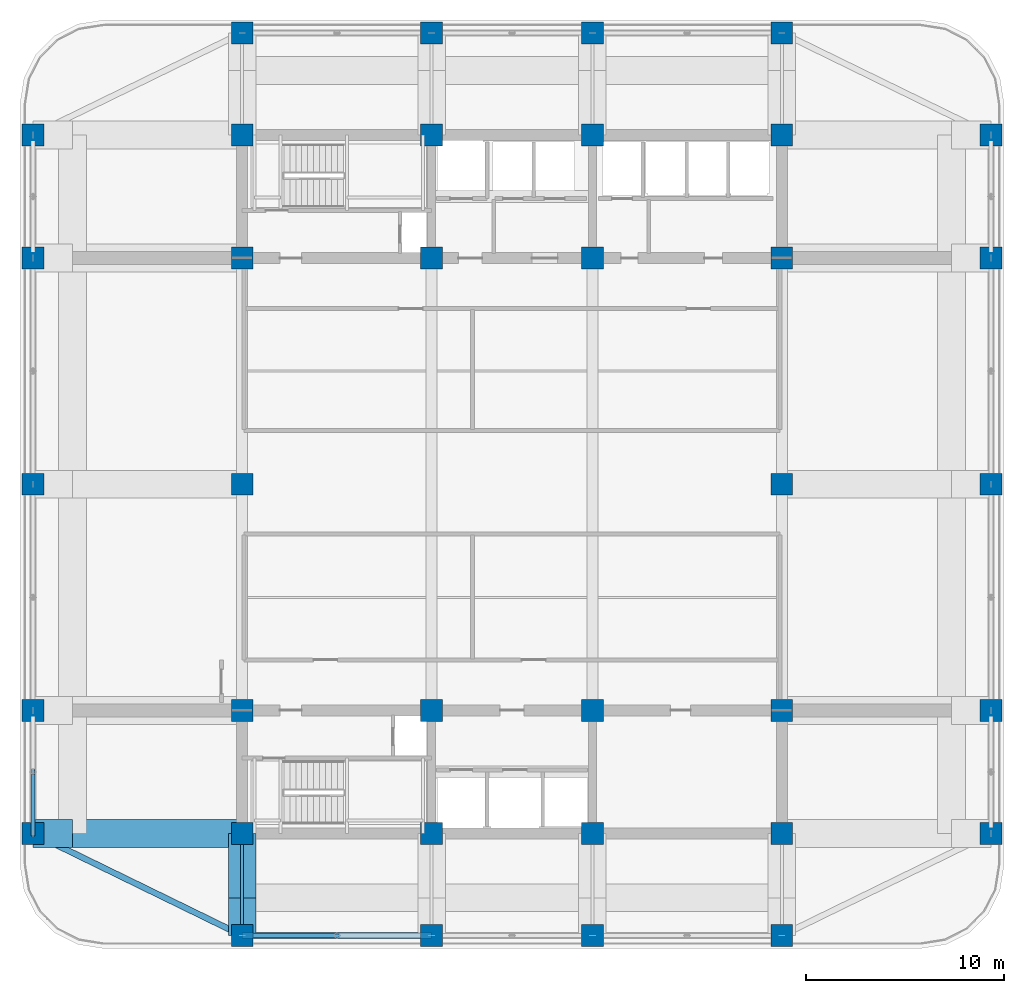
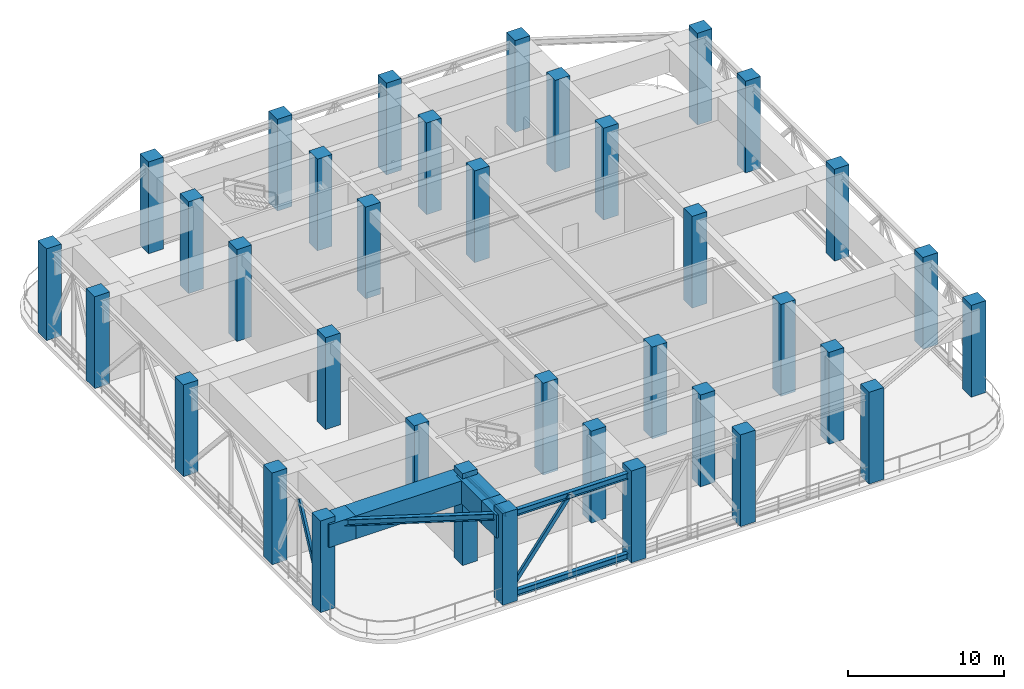
# One storey, part 1 of 20: 36 columns, 8 beams, 2 members.
"""IFC4 building model written with IfcOpenShell, lengths in metres."""

from ifc_helpers import new_model, si_unit, direction, frame, origin, origin_2d, place, context, subcontext, project, spatial, rectangle, hollow_rectangle, i_section, extrude, material, material_profile, profile_set, type_object, element, save


model = new_model("IFC4")

# Units and contexts
model_context = context("Model", 3, precision=1e-05, world=origin(), true_north=direction((0.0, 1.0)))
body_context = subcontext(model_context, "Body", "Model", "MODEL_VIEW")
ifc_project = project(units=[si_unit("LENGTHUNIT", "METRE"), si_unit("AREAUNIT", "SQUARE_METRE"), si_unit("VOLUMEUNIT", "CUBIC_METRE"), si_unit("PLANEANGLEUNIT", "RADIAN"), si_unit("MASSUNIT", "GRAM", prefix="KILO")], contexts=[model_context])

# Site, building, storey
site_placement = place(None, origin())
site = spatial("IfcSite", under=ifc_project, at=site_placement, CompositionType="ELEMENT")
building_placement = place(site_placement, origin())
building = spatial("IfcBuilding", under=site, at=building_placement, Name="Svetorya Sky Lyceum", CompositionType="ELEMENT")
storey_placement = place(building_placement, frame((0.0, 0.0, 136.39990234375)))
storey = spatial("IfcBuildingStorey", under=building, at=storey_placement, Name="L34", CompositionType="ELEMENT", Elevation=136.39990234375)

# Columns
ifc_material_1 = material(Name="Concrete C50/60", Category="concrete")
ifc_material_profile_1 = material_profile(ifc_material_1, rectangle(XDim=1.10009765625, YDim=1.10009765625, at=origin_2d()), Name="RC COL 1100x1100")
ifc_profile_set_1 = profile_set([ifc_material_profile_1], Name="Concrete C50/60")
column_type = type_object("IfcColumnType", Name="COL-RC-1100", PredefinedType="COLUMN", material=ifc_profile_set_1)
for number, where, z_axis, x_axis, name in (
    (1, (25.60009765625, 10.60009765625, 0.0), (0.0, 0.0, 1.0), (1.0, 0.0, 0.0), "L34 Core Column CS-11"),
    (2, (25.60009765625, 16.800048828125, 0.0), (0.0, 0.0, 1.0), (1.0, 0.0, 0.0), "L34 Core Column CS-12"),
    (3, (35.14990234375, 10.60009765625, 0.0), (0.0, 0.0, 1.0), (1.0, 0.0, 0.0), "L34 Core Column CS-21"),
    (4, (35.14990234375, 16.800048828125, 0.0), (0.0, 0.0, 1.0), (1.0, 0.0, 0.0), "L34 Core Column CS-22"),
    (5, (43.25, 10.60009765625, 0.0), (0.0, 0.0, 1.0), (1.0, 0.0, 0.0), "L34 Core Column CS-31"),
    (6, (43.25, 16.800048828125, 0.0), (0.0, 0.0, 1.0), (1.0, 0.0, 0.0), "L34 Core Column CS-32"),
    (7, (52.800048828125, 10.60009765625, 0.0), (0.0, 0.0, 1.0), (1.0, 0.0, 0.0), "L34 Core Column CS-41"),
    (8, (52.800048828125, 16.800048828125, 0.0), (0.0, 0.0, 1.0), (1.0, 0.0, 0.0), "L34 Core Column CS-42"),
    (9, (25.60009765625, 39.60009765625, 0.0), (0.0, 0.0, 1.0), (1.0, 0.0, 0.0), "L34 Core Column CN-11"),
    (10, (25.60009765625, 45.800048828125, 0.0), (0.0, 0.0, 1.0), (1.0, 0.0, 0.0), "L34 Core Column CN-12"),
    (11, (35.14990234375, 39.60009765625, 0.0), (0.0, 0.0, 1.0), (1.0, 0.0, 0.0), "L34 Core Column CN-21"),
    (12, (35.14990234375, 45.800048828125, 0.0), (0.0, 0.0, 1.0), (1.0, 0.0, 0.0), "L34 Core Column CN-22"),
    (13, (43.25, 39.60009765625, 0.0), (0.0, 0.0, 1.0), (1.0, 0.0, 0.0), "L34 Core Column CN-31"),
    (14, (43.25, 45.800048828125, 0.0), (0.0, 0.0, 1.0), (1.0, 0.0, 0.0), "L34 Core Column CN-32"),
    (15, (52.800048828125, 39.60009765625, 0.0), (0.0, 0.0, 1.0), (1.0, 0.0, 0.0), "L34 Core Column CN-41"),
    (16, (52.800048828125, 45.800048828125, 0.0), (0.0, 0.0, 1.0), (1.0, 0.0, 0.0), "L34 Core Column CN-42"),
    (17, (25.60009765625, 28.199951171875, 0.0), (0.0, 0.0, 1.0), (1.0, 0.0, 0.0), "L34 Core Column CM-W"),
    (18, (52.800048828125, 28.199951171875, 0.0), (0.0, 0.0, 1.0), (1.0, 0.0, 0.0), "L34 Core Column CM-E"),
    (19, (25.60009765625, 5.449951171875, 0.0), (0.0, 0.0, 1.0), (1.0, 0.0, 0.0), "L34 Perimeter Column S1"),
    (20, (25.60009765625, 50.949951171875, 0.0), (0.0, 0.0, 1.0), (1.0, 0.0, 0.0), "L34 Perimeter Column N1"),
    (21, (35.14990234375, 5.449951171875, 0.0), (0.0, 0.0, 1.0), (1.0, 0.0, 0.0), "L34 Perimeter Column S2"),
    (22, (35.14990234375, 50.949951171875, 0.0), (0.0, 0.0, 1.0), (1.0, 0.0, 0.0), "L34 Perimeter Column N2"),
    (23, (43.25, 5.449951171875, 0.0), (0.0, 0.0, 1.0), (1.0, 0.0, 0.0), "L34 Perimeter Column S3"),
    (24, (43.25, 50.949951171875, 0.0), (0.0, 0.0, 1.0), (1.0, 0.0, 0.0), "L34 Perimeter Column N3"),
    (25, (52.800048828125, 5.449951171875, 0.0), (0.0, 0.0, 1.0), (1.0, 0.0, 0.0), "L34 Perimeter Column S4"),
    (26, (52.800048828125, 50.949951171875, 0.0), (0.0, 0.0, 1.0), (1.0, 0.0, 0.0), "L34 Perimeter Column N4"),
    (27, (15.050048828125, 10.60009765625, 0.0), (0.0, 0.0, 1.0), (1.0, 0.0, 0.0), "L34 Perimeter Column W1"),
    (28, (63.35009765625, 10.60009765625, 0.0), (0.0, 0.0, 1.0), (1.0, 0.0, 0.0), "L34 Perimeter Column E1"),
    (29, (15.050048828125, 16.800048828125, 0.0), (0.0, 0.0, 1.0), (1.0, 0.0, 0.0), "L34 Perimeter Column W2"),
    (30, (63.35009765625, 16.800048828125, 0.0), (0.0, 0.0, 1.0), (1.0, 0.0, 0.0), "L34 Perimeter Column E2"),
    (31, (15.050048828125, 28.199951171875, 0.0), (0.0, 0.0, 1.0), (1.0, 0.0, 0.0), "L34 Perimeter Column W3"),
    (32, (63.35009765625, 28.199951171875, 0.0), (0.0, 0.0, 1.0), (1.0, 0.0, 0.0), "L34 Perimeter Column E3"),
    (33, (15.050048828125, 39.60009765625, 0.0), (0.0, 0.0, 1.0), (1.0, 0.0, 0.0), "L34 Perimeter Column W4"),
    (34, (63.35009765625, 39.60009765625, 0.0), (0.0, 0.0, 1.0), (1.0, 0.0, 0.0), "L34 Perimeter Column E4"),
    (35, (15.050048828125, 45.800048828125, 0.0), (0.0, 0.0, 1.0), (1.0, 0.0, 0.0), "L34 Perimeter Column W5"),
    (36, (63.35009765625, 45.800048828125, 0.0), (0.0, 0.0, 1.0), (1.0, 0.0, 0.0), "L34 Perimeter Column E5"),
):
    element("IfcColumn", number, at=place(storey_placement, frame(where, z_axis=z_axis, x_axis=x_axis)), inside=storey, type_object=column_type, Name=name, PredefinedType="COLUMN", context=body_context, shape_type="SweptSolid", body=[
        extrude(rectangle(XDim=1.10009765625, YDim=1.10009765625, at=origin_2d()), origin(), (0.0, 0.0, 1.0), 7.2001953125),
    ])

# Beams
ifc_material_2 = material(Name="Steel S355", Category="steel")
ifc_material_profile_2 = material_profile(ifc_material_2, i_section(OverallWidth=0.155029296875, OverallDepth=0.34912109375, WebThickness=0.007080078125, FlangeThickness=0.011474609375, at=origin_2d()), Name="GOST 35B2")
ifc_profile_set_2 = profile_set([ifc_material_profile_2], Name="Steel S355")
beam_type_1 = type_object("IfcBeamType", Name="BM-STL-35B2", PredefinedType="JOIST", material=ifc_profile_set_2)
beam_1_placement = place(storey_placement, frame((25.60009765625, 5.449951171875, 6.62548828125), z_axis=(0.0, 1.0, 0.0), x_axis=(-1.0, 0.0, 0.0)))
element("IfcBeam", 37, at=beam_1_placement, inside=storey, type_object=beam_type_1, Name="L34 South Bay Floor Girder S1", PredefinedType="JOIST", context=body_context, shape_type="SweptSolid", body=[
    extrude(i_section(OverallWidth=0.155029296875, OverallDepth=0.34912109375, WebThickness=0.007080078125, FlangeThickness=0.011474609375, at=origin_2d()), origin(), (0.0, 0.0, 1.0), 5.150146484375),
])
ifc_material_profile_3 = material_profile(ifc_material_2, i_section(OverallWidth=0.300048828125, OverallDepth=0.491943359375, WebThickness=0.012939453125, FlangeThickness=0.0205078125, at=origin_2d()), Name="GOST 50Sh2")
ifc_profile_set_3 = profile_set([ifc_material_profile_3], Name="Steel S355")
beam_type_2 = type_object("IfcBeamType", Name="BM-STL-50SH2", PredefinedType="BEAM", material=ifc_profile_set_3)
for number, where, z_axis, x_axis, name in (
    (38, (25.60009765625, 5.449951171875, 0.24609375), (1.0, 0.0, 0.0), (0.0, 1.0, 0.0), "L34 Belt Truss Bottom Chord S-1"),
    (39, (25.60009765625, 5.449951171875, 6.55419921875), (1.0, 0.0, 0.0), (0.0, 1.0, 0.0), "L34 Belt Truss Top Chord S-1"),
):
    element("IfcBeam", number, at=place(storey_placement, frame(where, z_axis=z_axis, x_axis=x_axis)), inside=storey, type_object=beam_type_2, Name=name, PredefinedType="BEAM", context=body_context, shape_type="SweptSolid", body=[
        extrude(i_section(OverallWidth=0.300048828125, OverallDepth=0.491943359375, WebThickness=0.012939453125, FlangeThickness=0.0205078125, at=origin_2d()), origin(), (0.0, 0.0, 1.0), 9.5498046875),
    ])
beam_2_placement = place(storey_placement, frame((25.60009765625, 5.449951171875, 6.55419921875), z_axis=(-0.898641495694, 0.438683783854, 0.0), x_axis=(-0.438683783854, -0.898641495694, 0.0)))
element("IfcBeam", 40, at=beam_2_placement, inside=storey, type_object=beam_type_2, Name="L34 Belt Truss Corner Tie 1", PredefinedType="BEAM", context=body_context, shape_type="SweptSolid", body=[
    extrude(i_section(OverallWidth=0.300048828125, OverallDepth=0.491943359375, WebThickness=0.012939453125, FlangeThickness=0.0205078125, at=origin_2d()), origin(), (0.0, 0.0, 1.0), 11.739990234375),
])
ifc_material_3 = material(Name="Concrete C60/75", Category="concrete")
ifc_material_profile_4 = material_profile(ifc_material_3, rectangle(XDim=1.39990234375, YDim=1.800048828125, at=origin_2d()), Name="RC TRANSFER 1400x1800")
ifc_profile_set_4 = profile_set([ifc_material_profile_4], Name="Concrete C60/75")
beam_type_3 = type_object("IfcBeamType", Name="BM-TRF-2200", PredefinedType="BEAM", material=ifc_profile_set_4)
beam_3_placement = place(storey_placement, frame((15.050048828125, 10.60009765625, 5.900146484375), z_axis=(1.0, 0.0, 0.0), x_axis=(0.0, 1.0, 0.0)))
element("IfcBeam", 41, at=beam_3_placement, inside=storey, type_object=beam_type_3, Name="L34 West Outer Transfer Girder 1", PredefinedType="BEAM", context=body_context, shape_type="SweptSolid", body=[
    extrude(rectangle(XDim=1.39990234375, YDim=1.800048828125, at=origin_2d()), origin(), (0.0, 0.0, 1.0), 2.0),
])
beam_4_placement = place(storey_placement, frame((17.050048828125, 10.60009765625, 5.900146484375), z_axis=(1.0, 0.0, 0.0), x_axis=(0.0, 1.0, 0.0)))
element("IfcBeam", 42, at=beam_4_placement, inside=storey, type_object=beam_type_3, Name="L34 West Inner Transfer Girder 1", PredefinedType="BEAM", context=body_context, shape_type="SweptSolid", body=[
    extrude(rectangle(XDim=1.39990234375, YDim=1.800048828125, at=origin_2d()), origin(), (0.0, 0.0, 1.0), 8.550048828125),
])
beam_5_placement = place(storey_placement, frame((25.60009765625, 5.449951171875, 5.900146484375), z_axis=(0.0, 1.0, 0.0), x_axis=(-1.0, 0.0, 0.0)))
element("IfcBeam", 43, at=beam_5_placement, inside=storey, type_object=beam_type_3, Name="L34 South Outer Transfer Girder 1", PredefinedType="BEAM", context=body_context, shape_type="SweptSolid", body=[
    extrude(rectangle(XDim=1.39990234375, YDim=1.800048828125, at=origin_2d()), origin(), (0.0, 0.0, 1.0), 1.900146484375),
])
beam_6_placement = place(storey_placement, frame((25.60009765625, 7.35009765625, 5.900146484375), z_axis=(0.0, 1.0, 0.0), x_axis=(-1.0, 0.0, 0.0)))
element("IfcBeam", 44, at=beam_6_placement, inside=storey, type_object=beam_type_3, Name="L34 South Inner Transfer Girder 1", PredefinedType="BEAM", context=body_context, shape_type="SweptSolid", body=[
    extrude(rectangle(XDim=1.39990234375, YDim=1.800048828125, at=origin_2d()), origin(), (0.0, 0.0, 1.0), 3.25),
])

# Members
ifc_material_profile_5 = material_profile(ifc_material_2, hollow_rectangle(XDim=0.199951171875, YDim=0.300048828125, WallThickness=0.011962890625, at=origin_2d()), Name="RHS 300x200x12")
ifc_profile_set_5 = profile_set([ifc_material_profile_5], Name="Steel S355")
member_type = type_object("IfcMemberType", Name="MB-BRC-RHS300", PredefinedType="BRACE", material=ifc_profile_set_5)
member_1_placement = place(storey_placement, frame((25.60009765625, 5.449951171875, 0.24609375), z_axis=(0.603539184165, 0.0, 0.79733333881), x_axis=(0.0, 1.0, 0.0)))
element("IfcMember", 45, at=member_1_placement, inside=storey, type_object=member_type, Name="L34 Belt Truss Diagonal S-1A", PredefinedType="BRACE", context=body_context, shape_type="SweptSolid", body=[
    extrude(hollow_rectangle(XDim=0.199951171875, YDim=0.300048828125, WallThickness=0.011962890625, at=origin_2d()), origin(), (0.0, 0.0, 1.0), 7.91162109375),
])
member_2_placement = place(storey_placement, frame((15.050048828125, 10.60009765625, 0.24609375), z_axis=(0.0, 0.441033970868, 0.897490410278), x_axis=(-1.0, 0.0, 0.0)))
element("IfcMember", 46, at=member_2_placement, inside=storey, type_object=member_type, Name="L34 Belt Truss Diagonal W-1A", PredefinedType="BRACE", context=body_context, shape_type="SweptSolid", body=[
    extrude(hollow_rectangle(XDim=0.199951171875, YDim=0.300048828125, WallThickness=0.011962890625, at=origin_2d()), origin(), (0.0, 0.0, 1.0), 7.028564453125),
])

save(model, "model.ifc")
